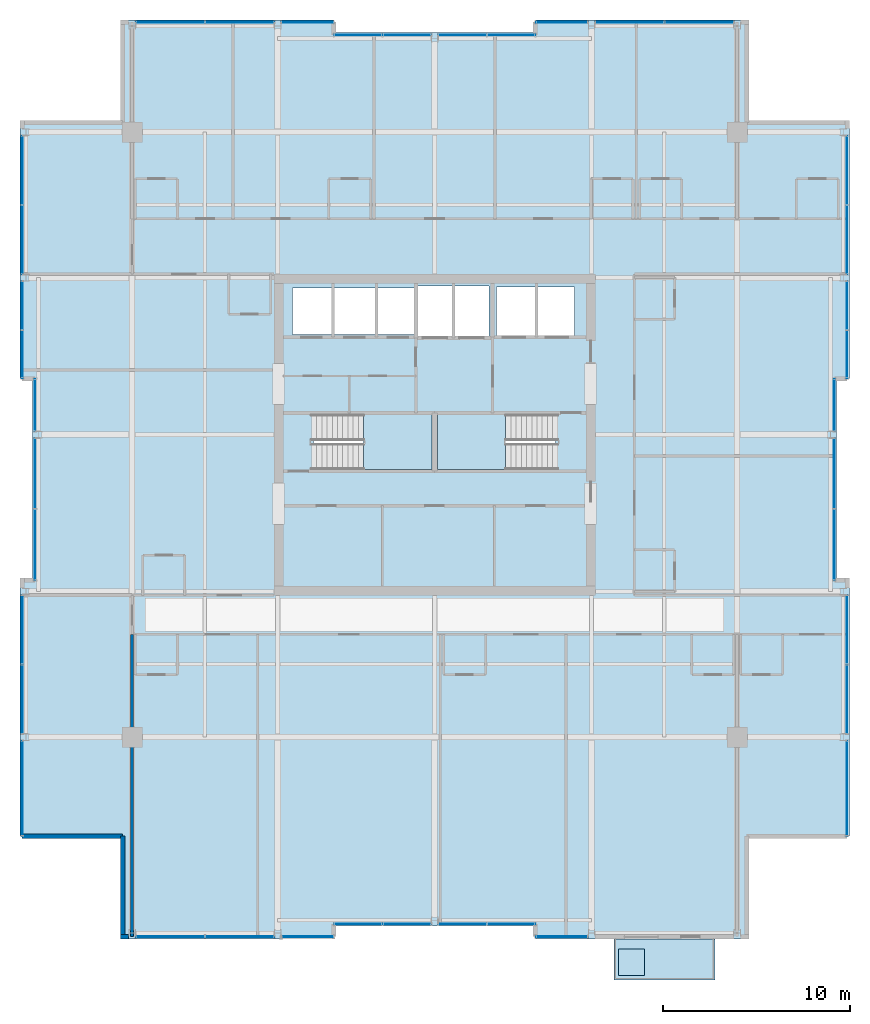
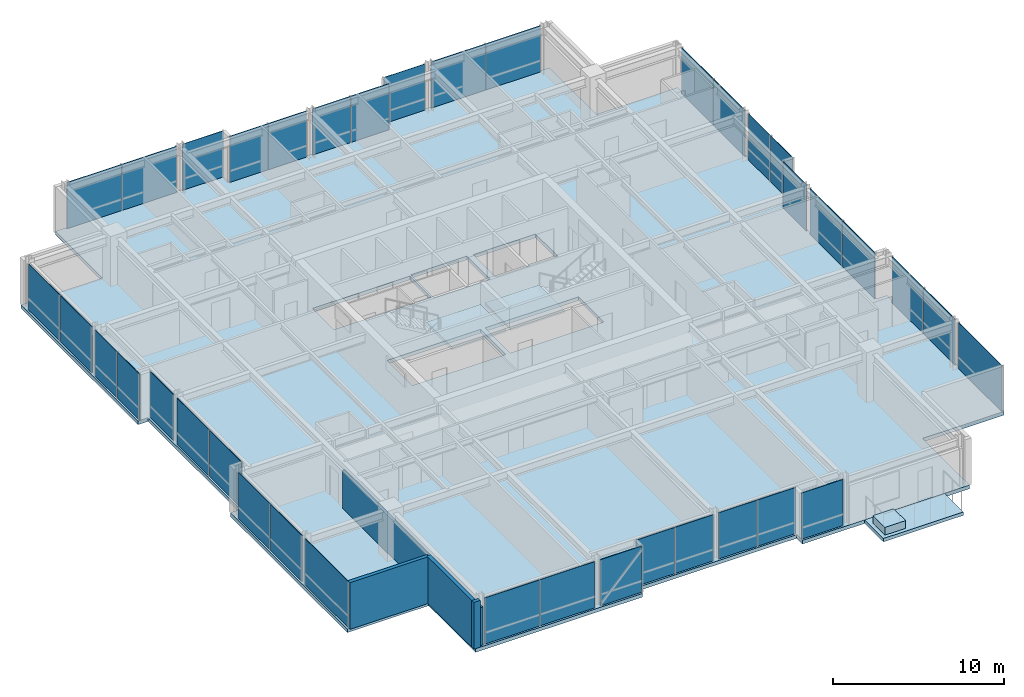
# One storey, part 25 of 32: 38 plates, 5 slabs, 4 walls, 25 elements without a shape of their own.
"""IFC4 building model written with IfcOpenShell, lengths in metres."""

from ifc_helpers import new_model, si_unit, direction, frame, frame_2d, origin, origin_2d, place, context, subcontext, project, spatial, polyline, rectangle, outline, extrude, material, layer, layer_set, type_object, element, aggregate, save


model = new_model("IFC4")

# Units and contexts
model_context = context("Model", 3, precision=1e-05, world=origin(), true_north=direction((0.0, 1.0)))
body_context = subcontext(model_context, "Body", "Model", "MODEL_VIEW")
ifc_project = project(units=[si_unit("LENGTHUNIT", "METRE"), si_unit("AREAUNIT", "SQUARE_METRE"), si_unit("VOLUMEUNIT", "CUBIC_METRE"), si_unit("PLANEANGLEUNIT", "RADIAN"), si_unit("MASSUNIT", "GRAM", prefix="KILO")], contexts=[model_context])

# Site, building, storey
site_placement = place(None, origin())
site = spatial("IfcSite", under=ifc_project, at=site_placement, CompositionType="ELEMENT")
building_placement = place(site_placement, origin())
building = spatial("IfcBuilding", under=site, at=building_placement, Name="Drelvath Grand Hotel", CompositionType="ELEMENT")
storey_placement = place(building_placement, frame((0.0, 0.0, 237.5)))
storey = spatial("IfcBuildingStorey", under=building, at=storey_placement, Name="L62", CompositionType="ELEMENT", Elevation=237.5)

# Slabs
ifc_material_1 = material(Name="Concrete f'c 40 MPa", Category="concrete")
ifc_layer_1 = layer(ifc_material_1, 0.239990234375)
ifc_layer_set_1 = layer_set([ifc_layer_1], Name="Concrete f'c 40 MPa")
slab_type_1 = type_object("IfcSlabType", Name="Cantilevered Tree Balcony Slab 240", PredefinedType="FLOOR", material=ifc_layer_set_1)
slab_1_placement = place(storey_placement, frame((0.0, 0.0, -0.239990234375)))
element("IfcSlab", 1, at=slab_1_placement, inside=storey, type_object=slab_type_1, Name="L62 Cantilevered Tree Balcony Slab 1", PredefinedType="FLOOR", context=body_context, shape_type="SweptSolid", body=[
    extrude(outline(polyline([(9.60009765625, -2.199951171875), (15.0, -2.199951171875), (15.0, 0.0), (9.60009765625, 0.0), (9.60009765625, -2.199951171875)])), origin(), (0.0, 0.0, 1.0), 0.239990234375),
])
ifc_layer_2 = layer(ifc_material_1, 0.260009765625)
ifc_layer_set_2 = layer_set([ifc_layer_2], Name="Concrete f'c 40 MPa")
slab_type_2 = type_object("IfcSlabType", Name="Composite RC Floor Slab 260", PredefinedType="FLOOR", material=ifc_layer_set_2)
slab_2_placement = place(storey_placement, frame((0.0, 0.0, -0.260009765625)))
element("IfcSlab", 2, at=slab_2_placement, inside=storey, type_object=slab_type_2, Name="L62 Structural Floor Slab", PredefinedType="FLOOR", context=body_context, shape_type="SweptSolid", body=[
    extrude(outline(polyline([(-16.699951171875, 0.0), (-5.39990234375, 0.0), (-5.39990234375, 0.679931640625), (5.39990234375, 0.679931640625), (5.39990234375, 0.0), (16.699951171875, 0.0), (16.699951171875, 5.5), (22.199951171875, 5.5), (22.199951171875, 19.199951171875), (21.52001953125, 19.199951171875), (21.52001953125, 30.0), (22.199951171875, 30.0), (22.199951171875, 43.699951171875), (16.699951171875, 43.699951171875), (16.699951171875, 49.199951171875), (5.39990234375, 49.199951171875), (5.39990234375, 48.52001953125), (-5.39990234375, 48.52001953125), (-5.39990234375, 49.199951171875), (-16.699951171875, 49.199951171875), (-16.699951171875, 43.699951171875), (-22.199951171875, 43.699951171875), (-22.199951171875, 30.0), (-21.52001953125, 30.0), (-21.52001953125, 19.199951171875), (-22.199951171875, 19.199951171875), (-22.199951171875, 5.5), (-16.699951171875, 5.5), (-16.699951171875, 0.0)]), holes=[polyline([(-6.47998046875, 25.1201171875), (-6.47998046875, 28.080078125), (-0.14990234375, 28.080078125), (-0.14990234375, 25.1201171875), (-6.47998046875, 25.1201171875)]), polyline([(0.14990234375, 25.1201171875), (0.14990234375, 28.080078125), (6.47998046875, 28.080078125), (6.47998046875, 25.1201171875), (0.14990234375, 25.1201171875)]), polyline([(-7.60009765625, 32.35009765625), (-7.60009765625, 34.85009765625), (-1.02001953125, 34.85009765625), (-1.02001953125, 32.35009765625), (-7.60009765625, 32.35009765625)]), polyline([(-0.89990234375, 32.25), (-0.89990234375, 34.949951171875), (2.89990234375, 34.949951171875), (2.89990234375, 32.25), (-0.89990234375, 32.25)]), polyline([(3.300048828125, 32.300048828125), (3.300048828125, 34.89990234375), (7.5, 34.89990234375), (7.5, 32.300048828125), (3.300048828125, 32.300048828125)])]), origin(), (0.0, 0.0, 1.0), 0.260009765625),
])

# Stair, slab
ifc_material_2 = material(Name="Concrete C40/50", Category="concrete")
stair_type = type_object("IfcStairType", Name="Dogleg Exit Stair W1400-R163.6", PredefinedType="HALF_TURN_STAIR", material=ifc_material_2)
stair_1_placement = place(storey_placement, origin())
stair_1 = element("IfcStair", 3, at=stair_1_placement, inside=storey, type_object=stair_type, Name="L62 Core Exit Stair ST-1", PredefinedType="HALF_TURN_STAIR")
ifc_layer_3 = layer(ifc_material_2, 0.199951171875)
ifc_layer_set_3 = layer_set([ifc_layer_3], Name="Concrete C40/50")
slab_type_3 = type_object("IfcSlabType", Name="Concrete Stair Landing Slab 200", PredefinedType="LANDING", material=ifc_layer_set_3)
slab_3_placement = place(storey_placement, frame((0.0, 0.0, 1.60009765625)))
slab_3 = element("IfcSlab", 4, at=slab_3_placement, type_object=slab_type_3, Name="ST-1 landing 1", PredefinedType="LANDING", context=body_context, shape_type="SweptSolid", body=[
    extrude(outline(polyline([(-3.800048828125, 25.1201171875), (-0.14990234375, 25.1201171875), (-0.14990234375, 28.080078125), (-3.800048828125, 28.080078125), (-3.800048828125, 25.1201171875)])), origin(), (0.0, 0.0, 1.0), 0.199951171875),
])
aggregate(stair_1, [slab_3])

stair_2_placement = place(storey_placement, origin())
stair_2 = element("IfcStair", 5, at=stair_2_placement, inside=storey, type_object=stair_type, Name="L62 Core Exit Stair ST-2", PredefinedType="HALF_TURN_STAIR")
slab_4_placement = place(storey_placement, frame((0.0, 0.0, 1.60009765625)))
slab_4 = element("IfcSlab", 6, at=slab_4_placement, type_object=slab_type_3, Name="ST-2 landing 1", PredefinedType="LANDING", context=body_context, shape_type="SweptSolid", body=[
    extrude(outline(polyline([(3.800048828125, 28.080078125), (0.14990234375, 28.080078125), (0.14990234375, 25.1201171875), (3.800048828125, 25.1201171875), (3.800048828125, 28.080078125)])), origin(), (0.0, 0.0, 1.0), 0.199951171875),
])
aggregate(stair_2, [slab_4])

# Curtain wall, plate
ifc_material_3 = material(Name="Platinum-Mist Anodised Aluminium Frame", Category="aluminium")
ifc_layer_4 = layer(ifc_material_3, 0.199951171875)
ifc_layer_set_4 = layer_set([ifc_layer_4], Name="Platinum-Mist Anodised Aluminium Frame")
curtain_wall_type = type_object("IfcCurtainWallType", Name="Stick Curtain Wall CW-05 Platinum Mist High-Rise", PredefinedType="NOTDEFINED", material=ifc_layer_set_4)
curtain_wall_1_placement = place(storey_placement, origin())
curtain_wall_1 = element("IfcCurtainWall", 7, at=curtain_wall_1_placement, inside=storey, type_object=curtain_wall_type, Name="L62 CW-05 Curtain Wall CW05-L62-WS1", PredefinedType="NOTDEFINED")
ifc_material_4 = material(Name="Low-E Triple Silver High-Altitude Glass", Category="glass")
ifc_layer_5 = layer(ifc_material_4, 0.035888671875)
ifc_layer_set_5 = layer_set([ifc_layer_5], Name="Low-E Triple Silver High-Altitude Glass")
plate_type = type_object("IfcPlateType", Name="Curtain Wall Vision Panel CW-05 36mm", PredefinedType="CURTAIN_PANEL", material=ifc_layer_set_5)
plate_1_placement = place(storey_placement, frame((-22.080078125, 8.060791015625, 0.02001953125), z_axis=(0.0, 0.0, 1.0), x_axis=(0.0, 1.0, 0.0)))
plate_1 = element("IfcPlate", 8, at=plate_1_placement, type_object=plate_type, Name="CW05-L62-WS1 Glazed Panel 1", PredefinedType="CURTAIN_PANEL", context=body_context, shape_type="SweptSolid", body=[
    extrude(rectangle(XDim=5.081787109375, YDim=0.035888671875, at=origin_2d()), origin(), (0.0, 0.0, 1.0), 3.300048828125),
])
aggregate(curtain_wall_1, [plate_1])

# Curtain wall, plates
curtain_wall_2_placement = place(storey_placement, origin())
curtain_wall_2 = element("IfcCurtainWall", 9, at=curtain_wall_2_placement, inside=storey, type_object=curtain_wall_type, Name="L62 CW-05 Curtain Wall CW05-L62-WS2", PredefinedType="NOTDEFINED")
plate_2_placement = place(storey_placement, frame((-22.080078125, 12.839111328125, 0.02001953125), z_axis=(0.0, 0.0, 1.0), x_axis=(0.0, 1.0, 0.0)))
plate_2 = element("IfcPlate", 10, at=plate_2_placement, type_object=plate_type, Name="CW05-L62-WS2 Glazed Panel 1", PredefinedType="CURTAIN_PANEL", context=body_context, shape_type="SweptSolid", body=[
    extrude(rectangle(XDim=3.681884765625, YDim=0.035888671875, at=origin_2d()), origin(), (0.0, 0.0, 1.0), 3.300048828125),
])
plate_3_placement = place(storey_placement, frame((-22.080078125, 16.560791015625, 0.02001953125), z_axis=(0.0, 0.0, 1.0), x_axis=(0.0, 1.0, 0.0)))
plate_3 = element("IfcPlate", 11, at=plate_3_placement, type_object=plate_type, Name="CW05-L62-WS2 Glazed Panel 2", PredefinedType="CURTAIN_PANEL", context=body_context, shape_type="SweptSolid", body=[
    extrude(rectangle(XDim=3.681884765625, YDim=0.035888671875, at=origin_2d()), origin(), (0.0, 0.0, 1.0), 3.300048828125),
])
aggregate(curtain_wall_2, [plate_2, plate_3])

curtain_wall_3_placement = place(storey_placement, origin())
curtain_wall_3 = element("IfcCurtainWall", 12, at=curtain_wall_3_placement, inside=storey, type_object=curtain_wall_type, Name="L62 CW-05 Curtain Wall CW05-L62-WM1", PredefinedType="NOTDEFINED")
plate_4_placement = place(storey_placement, frame((-21.39990234375, 21.10546875, 0.02001953125), z_axis=(0.0, 0.0, 1.0), x_axis=(0.0, 1.0, 0.0)))
plate_4 = element("IfcPlate", 13, at=plate_4_placement, type_object=plate_type, Name="CW05-L62-WM1 Glazed Panel 1", PredefinedType="CURTAIN_PANEL", context=body_context, shape_type="SweptSolid", body=[
    extrude(rectangle(XDim=3.77099609375, YDim=0.035888671875, at=origin_2d()), origin(), (0.0, 0.0, 1.0), 3.300048828125),
])
plate_5_placement = place(storey_placement, frame((-21.39990234375, 24.91650390625, 0.02001953125), z_axis=(0.0, 0.0, 1.0), x_axis=(0.0, 1.0, 0.0)))
plate_5 = element("IfcPlate", 14, at=plate_5_placement, type_object=plate_type, Name="CW05-L62-WM1 Glazed Panel 2", PredefinedType="CURTAIN_PANEL", context=body_context, shape_type="SweptSolid", body=[
    extrude(rectangle(XDim=3.77099609375, YDim=0.035888671875, at=origin_2d()), origin(), (0.0, 0.0, 1.0), 3.300048828125),
])
aggregate(curtain_wall_3, [plate_4, plate_5])

# Curtain wall, plate
curtain_wall_4_placement = place(storey_placement, origin())
curtain_wall_4 = element("IfcCurtainWall", 15, at=curtain_wall_4_placement, inside=storey, type_object=curtain_wall_type, Name="L62 CW-05 Curtain Wall CW05-L62-WM2", PredefinedType="NOTDEFINED")
plate_6_placement = place(storey_placement, frame((-21.39990234375, 28.589111328125, 0.02001953125), z_axis=(0.0, 0.0, 1.0), x_axis=(0.0, 1.0, 0.0)))
plate_6 = element("IfcPlate", 16, at=plate_6_placement, type_object=plate_type, Name="CW05-L62-WM2 Glazed Panel 1", PredefinedType="CURTAIN_PANEL", context=body_context, shape_type="SweptSolid", body=[
    extrude(rectangle(XDim=2.78173828125, YDim=0.035888671875, at=origin_2d()), origin(), (0.0, 0.0, 1.0), 3.300048828125),
])
aggregate(curtain_wall_4, [plate_6])

# Curtain wall, plates
curtain_wall_5_placement = place(storey_placement, origin())
curtain_wall_5 = element("IfcCurtainWall", 17, at=curtain_wall_5_placement, inside=storey, type_object=curtain_wall_type, Name="L62 CW-05 Curtain Wall CW05-L62-WN1", PredefinedType="NOTDEFINED")
plate_7_placement = place(storey_placement, frame((-22.080078125, 31.305419921875, 0.02001953125), z_axis=(0.0, 0.0, 1.0), x_axis=(0.0, 1.0, 0.0)))
plate_7 = element("IfcPlate", 18, at=plate_7_placement, type_object=plate_type, Name="CW05-L62-WN1 Glazed Panel 1", PredefinedType="CURTAIN_PANEL", context=body_context, shape_type="SweptSolid", body=[
    extrude(rectangle(XDim=2.57080078125, YDim=0.035888671875, at=origin_2d()), origin(), (0.0, 0.0, 1.0), 3.300048828125),
])
plate_8_placement = place(storey_placement, frame((-22.080078125, 33.91650390625, 0.02001953125), z_axis=(0.0, 0.0, 1.0), x_axis=(0.0, 1.0, 0.0)))
plate_8 = element("IfcPlate", 19, at=plate_8_placement, type_object=plate_type, Name="CW05-L62-WN1 Glazed Panel 2", PredefinedType="CURTAIN_PANEL", context=body_context, shape_type="SweptSolid", body=[
    extrude(rectangle(XDim=2.57080078125, YDim=0.035888671875, at=origin_2d()), origin(), (0.0, 0.0, 1.0), 3.300048828125),
])
aggregate(curtain_wall_5, [plate_7, plate_8])

curtain_wall_6_placement = place(storey_placement, origin())
curtain_wall_6 = element("IfcCurtainWall", 20, at=curtain_wall_6_placement, inside=storey, type_object=curtain_wall_type, Name="L62 CW-05 Curtain Wall CW05-L62-WN2", PredefinedType="NOTDEFINED")
plate_9_placement = place(storey_placement, frame((-22.080078125, 37.439208984375, 0.02001953125), z_axis=(0.0, 0.0, 1.0), x_axis=(0.0, 1.0, 0.0)))
plate_9 = element("IfcPlate", 21, at=plate_9_placement, type_object=plate_type, Name="CW05-L62-WN2 Glazed Panel 1", PredefinedType="CURTAIN_PANEL", context=body_context, shape_type="SweptSolid", body=[
    extrude(rectangle(XDim=3.681884765625, YDim=0.035888671875, at=origin_2d()), origin(), (0.0, 0.0, 1.0), 3.300048828125),
])
plate_10_placement = place(storey_placement, frame((-22.080078125, 41.160888671875, 0.02001953125), z_axis=(0.0, 0.0, 1.0), x_axis=(0.0, 1.0, 0.0)))
plate_10 = element("IfcPlate", 22, at=plate_10_placement, type_object=plate_type, Name="CW05-L62-WN2 Glazed Panel 2", PredefinedType="CURTAIN_PANEL", context=body_context, shape_type="SweptSolid", body=[
    extrude(rectangle(XDim=3.681884765625, YDim=0.035888671875, at=origin_2d()), origin(), (0.0, 0.0, 1.0), 3.300048828125),
])
aggregate(curtain_wall_6, [plate_9, plate_10])

curtain_wall_7_placement = place(storey_placement, origin())
curtain_wall_7 = element("IfcCurtainWall", 23, at=curtain_wall_7_placement, inside=storey, type_object=curtain_wall_type, Name="L62 CW-05 Curtain Wall CW05-L62-EN1", PredefinedType="NOTDEFINED")
plate_11_placement = place(storey_placement, frame((22.080078125, 33.91650390625, 0.02001953125), z_axis=(0.0, 0.0, 1.0), x_axis=(0.0, -1.0, 0.0)))
plate_11 = element("IfcPlate", 24, at=plate_11_placement, type_object=plate_type, Name="CW05-L62-EN1 Glazed Panel 1", PredefinedType="CURTAIN_PANEL", context=body_context, shape_type="SweptSolid", body=[
    extrude(rectangle(XDim=2.57080078125, YDim=0.035888671875, at=origin_2d()), origin(), (0.0, 0.0, 1.0), 3.300048828125),
])
plate_12_placement = place(storey_placement, frame((22.080078125, 31.305419921875, 0.02001953125), z_axis=(0.0, 0.0, 1.0), x_axis=(0.0, -1.0, 0.0)))
plate_12 = element("IfcPlate", 25, at=plate_12_placement, type_object=plate_type, Name="CW05-L62-EN1 Glazed Panel 2", PredefinedType="CURTAIN_PANEL", context=body_context, shape_type="SweptSolid", body=[
    extrude(rectangle(XDim=2.57080078125, YDim=0.035888671875, at=origin_2d()), origin(), (0.0, 0.0, 1.0), 3.300048828125),
])
aggregate(curtain_wall_7, [plate_11, plate_12])

curtain_wall_8_placement = place(storey_placement, origin())
curtain_wall_8 = element("IfcCurtainWall", 26, at=curtain_wall_8_placement, inside=storey, type_object=curtain_wall_type, Name="L62 CW-05 Curtain Wall CW05-L62-EN2", PredefinedType="NOTDEFINED")
plate_13_placement = place(storey_placement, frame((22.080078125, 41.160888671875, 0.02001953125), z_axis=(0.0, 0.0, 1.0), x_axis=(0.0, -1.0, 0.0)))
plate_13 = element("IfcPlate", 27, at=plate_13_placement, type_object=plate_type, Name="CW05-L62-EN2 Glazed Panel 1", PredefinedType="CURTAIN_PANEL", context=body_context, shape_type="SweptSolid", body=[
    extrude(rectangle(XDim=3.681884765625, YDim=0.035888671875, at=origin_2d()), origin(), (0.0, 0.0, 1.0), 3.300048828125),
])
plate_14_placement = place(storey_placement, frame((22.080078125, 37.439208984375, 0.02001953125), z_axis=(0.0, 0.0, 1.0), x_axis=(0.0, -1.0, 0.0)))
plate_14 = element("IfcPlate", 28, at=plate_14_placement, type_object=plate_type, Name="CW05-L62-EN2 Glazed Panel 2", PredefinedType="CURTAIN_PANEL", context=body_context, shape_type="SweptSolid", body=[
    extrude(rectangle(XDim=3.681884765625, YDim=0.035888671875, at=origin_2d()), origin(), (0.0, 0.0, 1.0), 3.300048828125),
])
aggregate(curtain_wall_8, [plate_13, plate_14])

curtain_wall_9_placement = place(storey_placement, origin())
curtain_wall_9 = element("IfcCurtainWall", 29, at=curtain_wall_9_placement, inside=storey, type_object=curtain_wall_type, Name="L62 CW-05 Curtain Wall CW05-L62-EM1", PredefinedType="NOTDEFINED")
plate_15_placement = place(storey_placement, frame((21.39990234375, 24.91650390625, 0.02001953125), z_axis=(0.0, 0.0, 1.0), x_axis=(0.0, -1.0, 0.0)))
plate_15 = element("IfcPlate", 30, at=plate_15_placement, type_object=plate_type, Name="CW05-L62-EM1 Glazed Panel 1", PredefinedType="CURTAIN_PANEL", context=body_context, shape_type="SweptSolid", body=[
    extrude(rectangle(XDim=3.77099609375, YDim=0.035888671875, at=origin_2d()), origin(), (0.0, 0.0, 1.0), 3.300048828125),
])
plate_16_placement = place(storey_placement, frame((21.39990234375, 21.10546875, 0.02001953125), z_axis=(0.0, 0.0, 1.0), x_axis=(0.0, -1.0, 0.0)))
plate_16 = element("IfcPlate", 31, at=plate_16_placement, type_object=plate_type, Name="CW05-L62-EM1 Glazed Panel 2", PredefinedType="CURTAIN_PANEL", context=body_context, shape_type="SweptSolid", body=[
    extrude(rectangle(XDim=3.77099609375, YDim=0.035888671875, at=origin_2d()), origin(), (0.0, 0.0, 1.0), 3.300048828125),
])
aggregate(curtain_wall_9, [plate_15, plate_16])

# Curtain wall, plate
curtain_wall_10_placement = place(storey_placement, origin())
curtain_wall_10 = element("IfcCurtainWall", 32, at=curtain_wall_10_placement, inside=storey, type_object=curtain_wall_type, Name="L62 CW-05 Curtain Wall CW05-L62-EM2", PredefinedType="NOTDEFINED")
plate_17_placement = place(storey_placement, frame((21.39990234375, 28.589111328125, 0.02001953125), z_axis=(0.0, 0.0, 1.0), x_axis=(0.0, -1.0, 0.0)))
plate_17 = element("IfcPlate", 33, at=plate_17_placement, type_object=plate_type, Name="CW05-L62-EM2 Glazed Panel 1", PredefinedType="CURTAIN_PANEL", context=body_context, shape_type="SweptSolid", body=[
    extrude(rectangle(XDim=2.78173828125, YDim=0.035888671875, at=origin_2d()), origin(), (0.0, 0.0, 1.0), 3.300048828125),
])
aggregate(curtain_wall_10, [plate_17])

curtain_wall_11_placement = place(storey_placement, origin())
curtain_wall_11 = element("IfcCurtainWall", 34, at=curtain_wall_11_placement, inside=storey, type_object=curtain_wall_type, Name="L62 CW-05 Curtain Wall CW05-L62-ES1", PredefinedType="NOTDEFINED")
plate_18_placement = place(storey_placement, frame((22.080078125, 8.060791015625, 0.02001953125), z_axis=(0.0, 0.0, 1.0), x_axis=(0.0, -1.0, 0.0)))
plate_18 = element("IfcPlate", 35, at=plate_18_placement, type_object=plate_type, Name="CW05-L62-ES1 Glazed Panel 1", PredefinedType="CURTAIN_PANEL", context=body_context, shape_type="SweptSolid", body=[
    extrude(rectangle(XDim=5.081787109375, YDim=0.035888671875, at=origin_2d()), origin(), (0.0, 0.0, 1.0), 3.300048828125),
])
aggregate(curtain_wall_11, [plate_18])

# Curtain wall, plates
curtain_wall_12_placement = place(storey_placement, origin())
curtain_wall_12 = element("IfcCurtainWall", 36, at=curtain_wall_12_placement, inside=storey, type_object=curtain_wall_type, Name="L62 CW-05 Curtain Wall CW05-L62-ES2", PredefinedType="NOTDEFINED")
plate_19_placement = place(storey_placement, frame((22.080078125, 16.560791015625, 0.02001953125), z_axis=(0.0, 0.0, 1.0), x_axis=(0.0, -1.0, 0.0)))
plate_19 = element("IfcPlate", 37, at=plate_19_placement, type_object=plate_type, Name="CW05-L62-ES2 Glazed Panel 1", PredefinedType="CURTAIN_PANEL", context=body_context, shape_type="SweptSolid", body=[
    extrude(rectangle(XDim=3.681884765625, YDim=0.035888671875, at=origin_2d()), origin(), (0.0, 0.0, 1.0), 3.300048828125),
])
plate_20_placement = place(storey_placement, frame((22.080078125, 12.839111328125, 0.02001953125), z_axis=(0.0, 0.0, 1.0), x_axis=(0.0, -1.0, 0.0)))
plate_20 = element("IfcPlate", 38, at=plate_20_placement, type_object=plate_type, Name="CW05-L62-ES2 Glazed Panel 2", PredefinedType="CURTAIN_PANEL", context=body_context, shape_type="SweptSolid", body=[
    extrude(rectangle(XDim=3.681884765625, YDim=0.035888671875, at=origin_2d()), origin(), (0.0, 0.0, 1.0), 3.300048828125),
])
aggregate(curtain_wall_12, [plate_19, plate_20])

curtain_wall_13_placement = place(storey_placement, origin())
curtain_wall_13 = element("IfcCurtainWall", 39, at=curtain_wall_13_placement, inside=storey, type_object=curtain_wall_type, Name="L62 CW-05 Curtain Wall CW05-L62-NW2", PredefinedType="NOTDEFINED")
plate_21_placement = place(storey_placement, frame((-14.160888671875, 49.080078125, 0.02001953125), z_axis=(0.0, 0.0, 1.0), x_axis=(1.0, 0.0, 0.0)))
plate_21 = element("IfcPlate", 40, at=plate_21_placement, type_object=plate_type, Name="CW05-L62-NW2 Glazed Panel 1", PredefinedType="CURTAIN_PANEL", context=body_context, shape_type="SweptSolid", body=[
    extrude(rectangle(XDim=3.681884765625, YDim=0.035888671875, at=origin_2d()), origin(), (0.0, 0.0, 1.0), 3.300048828125),
])
plate_22_placement = place(storey_placement, frame((-10.439208984375, 49.080078125, 0.02001953125), z_axis=(0.0, 0.0, 1.0), x_axis=(1.0, 0.0, 0.0)))
plate_22 = element("IfcPlate", 41, at=plate_22_placement, type_object=plate_type, Name="CW05-L62-NW2 Glazed Panel 2", PredefinedType="CURTAIN_PANEL", context=body_context, shape_type="SweptSolid", body=[
    extrude(rectangle(XDim=3.681884765625, YDim=0.035888671875, at=origin_2d()), origin(), (0.0, 0.0, 1.0), 3.300048828125),
])
aggregate(curtain_wall_13, [plate_21, plate_22])

# Curtain wall, plate
curtain_wall_14_placement = place(storey_placement, origin())
curtain_wall_14 = element("IfcCurtainWall", 42, at=curtain_wall_14_placement, inside=storey, type_object=curtain_wall_type, Name="L62 CW-05 Curtain Wall CW05-L62-NW3", PredefinedType="NOTDEFINED")
plate_23_placement = place(storey_placement, frame((-6.810791015625, 49.080078125, 0.02001953125), z_axis=(0.0, 0.0, 1.0), x_axis=(1.0, 0.0, 0.0)))
plate_23 = element("IfcPlate", 43, at=plate_23_placement, type_object=plate_type, Name="CW05-L62-NW3 Glazed Panel 1", PredefinedType="CURTAIN_PANEL", context=body_context, shape_type="SweptSolid", body=[
    extrude(rectangle(XDim=2.78173828125, YDim=0.035888671875, at=origin_2d()), origin(), (0.0, 0.0, 1.0), 3.300048828125),
])
aggregate(curtain_wall_14, [plate_23])

# Curtain wall, plates
curtain_wall_15_placement = place(storey_placement, origin())
curtain_wall_15 = element("IfcCurtainWall", 44, at=curtain_wall_15_placement, inside=storey, type_object=curtain_wall_type, Name="L62 CW-05 Curtain Wall CW05-L62-NM1", PredefinedType="NOTDEFINED")
plate_24_placement = place(storey_placement, frame((-4.094482421875, 48.39990234375, 0.02001953125), z_axis=(0.0, 0.0, 1.0), x_axis=(1.0, 0.0, 0.0)))
plate_24 = element("IfcPlate", 45, at=plate_24_placement, type_object=plate_type, Name="CW05-L62-NM1 Glazed Panel 1", PredefinedType="CURTAIN_PANEL", context=body_context, shape_type="SweptSolid", body=[
    extrude(rectangle(XDim=2.57080078125, YDim=0.035888671875, at=origin_2d()), origin(), (0.0, 0.0, 1.0), 3.300048828125),
])
plate_25_placement = place(storey_placement, frame((-1.483642578125, 48.39990234375, 0.02001953125), z_axis=(0.0, 0.0, 1.0), x_axis=(1.0, 0.0, 0.0)))
plate_25 = element("IfcPlate", 46, at=plate_25_placement, type_object=plate_type, Name="CW05-L62-NM1 Glazed Panel 2", PredefinedType="CURTAIN_PANEL", context=body_context, shape_type="SweptSolid", body=[
    extrude(rectangle(XDim=2.57080078125, YDim=0.035888671875, at=origin_2d()), origin(), (0.0, 0.0, 1.0), 3.300048828125),
])
aggregate(curtain_wall_15, [plate_24, plate_25])

curtain_wall_16_placement = place(storey_placement, origin())
curtain_wall_16 = element("IfcCurtainWall", 47, at=curtain_wall_16_placement, inside=storey, type_object=curtain_wall_type, Name="L62 CW-05 Curtain Wall CW05-L62-NM2", PredefinedType="NOTDEFINED")
plate_26_placement = place(storey_placement, frame((1.483642578125, 48.39990234375, 0.02001953125), z_axis=(0.0, 0.0, 1.0), x_axis=(1.0, 0.0, 0.0)))
plate_26 = element("IfcPlate", 48, at=plate_26_placement, type_object=plate_type, Name="CW05-L62-NM2 Glazed Panel 1", PredefinedType="CURTAIN_PANEL", context=body_context, shape_type="SweptSolid", body=[
    extrude(rectangle(XDim=2.57080078125, YDim=0.035888671875, at=origin_2d()), origin(), (0.0, 0.0, 1.0), 3.300048828125),
])
plate_27_placement = place(storey_placement, frame((4.094482421875, 48.39990234375, 0.02001953125), z_axis=(0.0, 0.0, 1.0), x_axis=(1.0, 0.0, 0.0)))
plate_27 = element("IfcPlate", 49, at=plate_27_placement, type_object=plate_type, Name="CW05-L62-NM2 Glazed Panel 2", PredefinedType="CURTAIN_PANEL", context=body_context, shape_type="SweptSolid", body=[
    extrude(rectangle(XDim=2.57080078125, YDim=0.035888671875, at=origin_2d()), origin(), (0.0, 0.0, 1.0), 3.300048828125),
])
aggregate(curtain_wall_16, [plate_26, plate_27])

# Curtain wall, plate
curtain_wall_17_placement = place(storey_placement, origin())
curtain_wall_17 = element("IfcCurtainWall", 50, at=curtain_wall_17_placement, inside=storey, type_object=curtain_wall_type, Name="L62 CW-05 Curtain Wall CW05-L62-NE1", PredefinedType="NOTDEFINED")
plate_28_placement = place(storey_placement, frame((6.810791015625, 49.080078125, 0.02001953125), z_axis=(0.0, 0.0, 1.0), x_axis=(1.0, 0.0, 0.0)))
plate_28 = element("IfcPlate", 51, at=plate_28_placement, type_object=plate_type, Name="CW05-L62-NE1 Glazed Panel 1", PredefinedType="CURTAIN_PANEL", context=body_context, shape_type="SweptSolid", body=[
    extrude(rectangle(XDim=2.78173828125, YDim=0.035888671875, at=origin_2d()), origin(), (0.0, 0.0, 1.0), 3.300048828125),
])
aggregate(curtain_wall_17, [plate_28])

# Curtain wall, plates
curtain_wall_18_placement = place(storey_placement, origin())
curtain_wall_18 = element("IfcCurtainWall", 52, at=curtain_wall_18_placement, inside=storey, type_object=curtain_wall_type, Name="L62 CW-05 Curtain Wall CW05-L62-NE2", PredefinedType="NOTDEFINED")
plate_29_placement = place(storey_placement, frame((10.439208984375, 49.080078125, 0.02001953125), z_axis=(0.0, 0.0, 1.0), x_axis=(1.0, 0.0, 0.0)))
plate_29 = element("IfcPlate", 53, at=plate_29_placement, type_object=plate_type, Name="CW05-L62-NE2 Glazed Panel 1", PredefinedType="CURTAIN_PANEL", context=body_context, shape_type="SweptSolid", body=[
    extrude(rectangle(XDim=3.681884765625, YDim=0.035888671875, at=origin_2d()), origin(), (0.0, 0.0, 1.0), 3.300048828125),
])
plate_30_placement = place(storey_placement, frame((14.160888671875, 49.080078125, 0.02001953125), z_axis=(0.0, 0.0, 1.0), x_axis=(1.0, 0.0, 0.0)))
plate_30 = element("IfcPlate", 54, at=plate_30_placement, type_object=plate_type, Name="CW05-L62-NE2 Glazed Panel 2", PredefinedType="CURTAIN_PANEL", context=body_context, shape_type="SweptSolid", body=[
    extrude(rectangle(XDim=3.681884765625, YDim=0.035888671875, at=origin_2d()), origin(), (0.0, 0.0, 1.0), 3.300048828125),
])
aggregate(curtain_wall_18, [plate_29, plate_30])

# Curtain wall, plate
curtain_wall_19_placement = place(storey_placement, origin())
curtain_wall_19 = element("IfcCurtainWall", 55, at=curtain_wall_19_placement, inside=storey, type_object=curtain_wall_type, Name="L62 CW-05 Curtain Wall CW05-L62-SE1", PredefinedType="NOTDEFINED")
plate_31_placement = place(storey_placement, frame((6.810791015625, 0.1201171875, 0.02001953125), z_axis=(0.0, 0.0, 1.0), x_axis=(-1.0, 0.0, 0.0)))
plate_31 = element("IfcPlate", 56, at=plate_31_placement, type_object=plate_type, Name="CW05-L62-SE1 Glazed Panel 1", PredefinedType="CURTAIN_PANEL", context=body_context, shape_type="SweptSolid", body=[
    extrude(rectangle(XDim=2.78173828125, YDim=0.035888671875, at=origin_2d()), origin(), (0.0, 0.0, 1.0), 3.300048828125),
])
aggregate(curtain_wall_19, [plate_31])

# Curtain wall, plates
curtain_wall_20_placement = place(storey_placement, origin())
curtain_wall_20 = element("IfcCurtainWall", 57, at=curtain_wall_20_placement, inside=storey, type_object=curtain_wall_type, Name="L62 CW-05 Curtain Wall CW05-L62-SM1", PredefinedType="NOTDEFINED")
plate_32_placement = place(storey_placement, frame((-1.483642578125, 0.800048828125, 0.02001953125), z_axis=(0.0, 0.0, 1.0), x_axis=(-1.0, 0.0, 0.0)))
plate_32 = element("IfcPlate", 58, at=plate_32_placement, type_object=plate_type, Name="CW05-L62-SM1 Glazed Panel 1", PredefinedType="CURTAIN_PANEL", context=body_context, shape_type="SweptSolid", body=[
    extrude(rectangle(XDim=2.57080078125, YDim=0.035888671875, at=origin_2d()), origin(), (0.0, 0.0, 1.0), 3.300048828125),
])
plate_33_placement = place(storey_placement, frame((-4.094482421875, 0.800048828125, 0.02001953125), z_axis=(0.0, 0.0, 1.0), x_axis=(-1.0, 0.0, 0.0)))
plate_33 = element("IfcPlate", 59, at=plate_33_placement, type_object=plate_type, Name="CW05-L62-SM1 Glazed Panel 2", PredefinedType="CURTAIN_PANEL", context=body_context, shape_type="SweptSolid", body=[
    extrude(rectangle(XDim=2.57080078125, YDim=0.035888671875, at=origin_2d()), origin(), (0.0, 0.0, 1.0), 3.300048828125),
])
aggregate(curtain_wall_20, [plate_32, plate_33])

curtain_wall_21_placement = place(storey_placement, origin())
curtain_wall_21 = element("IfcCurtainWall", 60, at=curtain_wall_21_placement, inside=storey, type_object=curtain_wall_type, Name="L62 CW-05 Curtain Wall CW05-L62-SM2", PredefinedType="NOTDEFINED")
plate_34_placement = place(storey_placement, frame((4.094482421875, 0.800048828125, 0.02001953125), z_axis=(0.0, 0.0, 1.0), x_axis=(-1.0, 0.0, 0.0)))
plate_34 = element("IfcPlate", 61, at=plate_34_placement, type_object=plate_type, Name="CW05-L62-SM2 Glazed Panel 1", PredefinedType="CURTAIN_PANEL", context=body_context, shape_type="SweptSolid", body=[
    extrude(rectangle(XDim=2.57080078125, YDim=0.035888671875, at=origin_2d()), origin(), (0.0, 0.0, 1.0), 3.300048828125),
])
plate_35_placement = place(storey_placement, frame((1.483642578125, 0.800048828125, 0.02001953125), z_axis=(0.0, 0.0, 1.0), x_axis=(-1.0, 0.0, 0.0)))
plate_35 = element("IfcPlate", 62, at=plate_35_placement, type_object=plate_type, Name="CW05-L62-SM2 Glazed Panel 2", PredefinedType="CURTAIN_PANEL", context=body_context, shape_type="SweptSolid", body=[
    extrude(rectangle(XDim=2.57080078125, YDim=0.035888671875, at=origin_2d()), origin(), (0.0, 0.0, 1.0), 3.300048828125),
])
aggregate(curtain_wall_21, [plate_34, plate_35])

curtain_wall_22_placement = place(storey_placement, origin())
curtain_wall_22 = element("IfcCurtainWall", 63, at=curtain_wall_22_placement, inside=storey, type_object=curtain_wall_type, Name="L62 CW-05 Curtain Wall CW05-L62-SW2", PredefinedType="NOTDEFINED")
plate_36_placement = place(storey_placement, frame((-10.439208984375, 0.1201171875, 0.02001953125), z_axis=(0.0, 0.0, 1.0), x_axis=(-1.0, 0.0, 0.0)))
plate_36 = element("IfcPlate", 64, at=plate_36_placement, type_object=plate_type, Name="CW05-L62-SW2 Glazed Panel 1", PredefinedType="CURTAIN_PANEL", context=body_context, shape_type="SweptSolid", body=[
    extrude(rectangle(XDim=3.681884765625, YDim=0.035888671875, at=origin_2d()), origin(), (0.0, 0.0, 1.0), 3.300048828125),
])
plate_37_placement = place(storey_placement, frame((-14.160888671875, 0.1201171875, 0.02001953125), z_axis=(0.0, 0.0, 1.0), x_axis=(-1.0, 0.0, 0.0)))
plate_37 = element("IfcPlate", 65, at=plate_37_placement, type_object=plate_type, Name="CW05-L62-SW2 Glazed Panel 2", PredefinedType="CURTAIN_PANEL", context=body_context, shape_type="SweptSolid", body=[
    extrude(rectangle(XDim=3.681884765625, YDim=0.035888671875, at=origin_2d()), origin(), (0.0, 0.0, 1.0), 3.300048828125),
])
aggregate(curtain_wall_22, [plate_36, plate_37])

# Curtain wall, plate
curtain_wall_23_placement = place(storey_placement, origin())
curtain_wall_23 = element("IfcCurtainWall", 66, at=curtain_wall_23_placement, inside=storey, type_object=curtain_wall_type, Name="L62 CW-05 Curtain Wall CW05-L62-SW3", PredefinedType="NOTDEFINED")
plate_38_placement = place(storey_placement, frame((-6.810791015625, 0.1201171875, 0.02001953125), z_axis=(0.0, 0.0, 1.0), x_axis=(-1.0, 0.0, 0.0)))
plate_38 = element("IfcPlate", 67, at=plate_38_placement, type_object=plate_type, Name="CW05-L62-SW3 Glazed Panel 1", PredefinedType="CURTAIN_PANEL", context=body_context, shape_type="SweptSolid", body=[
    extrude(rectangle(XDim=2.78173828125, YDim=0.035888671875, at=origin_2d()), origin(), (0.0, 0.0, 1.0), 3.300048828125),
])
aggregate(curtain_wall_23, [plate_38])

# Slab
ifc_layer_6 = layer(ifc_material_1, 0.550048828125)
ifc_layer_set_6 = layer_set([ifc_layer_6], Name="Concrete f'c 40 MPa")
slab_type_4 = type_object("IfcSlabType", Name="Structural Tree Planter Box 550", PredefinedType="USERDEFINED", material=ifc_layer_set_6)
slab_5_placement = place(storey_placement, origin())
element("IfcSlab", 68, at=slab_5_placement, inside=storey, type_object=slab_type_4, Name="L62 Tree Balcony Structural Planter 1", ObjectType="PLANTER", PredefinedType="USERDEFINED", context=body_context, shape_type="SweptSolid", body=[
    extrude(outline(polyline([(9.85009765625, -1.949951171875), (11.25, -1.949951171875), (11.25, -0.550048828125), (9.85009765625, -0.550048828125), (9.85009765625, -1.949951171875)])), origin(), (0.0, 0.0, 1.0), 0.550048828125),
])

# Walls
ifc_material_5 = material(Name="Gypsum Acoustic Partition")
ifc_layer_7 = layer(ifc_material_5, 0.1650390625)
ifc_layer_set_7 = layer_set([ifc_layer_7], Name="Gypsum Acoustic Partition")
wall_type_1 = type_object("IfcWallType", Name="Suite Demising Wall 165", PredefinedType="PARTITIONING", material=ifc_layer_set_7)
wall_1_placement = place(storey_placement, frame((-16.199951171875, 0.1201171875, 0.0), z_axis=(0.0, 0.0, 1.0), x_axis=(0.0, 1.0, 0.0)))
element("IfcWall", 69, at=wall_1_placement, inside=storey, type_object=wall_type_1, Name="L62 SW Suite Wall", PredefinedType="PARTITIONING", context=body_context, shape_type="SweptSolid", body=[
    extrude(rectangle(XDim=16.179931640625, YDim=0.1650390625, at=frame_2d((8.08984375, 0.0))), origin(), (0.0, 0.0, 1.0), 2.7138671875),
])
ifc_material_6 = material(Name="Pale-Metal Insulated Aluminium Spandrel Assembly", Category="aluminium")
ifc_layer_8 = layer(ifc_material_6, 0.239990234375)
ifc_layer_set_8 = layer_set([ifc_layer_8], Name="Pale-Metal Insulated Aluminium Spandrel Assembly")
wall_type_2 = type_object("IfcWallType", Name="Tower Insulated Metal Spandrel Closure Wall 240", PredefinedType="STANDARD", material=ifc_layer_set_8)
wall_2_placement = place(storey_placement, frame((-16.378173828125, 0.1201171875, 0.0), z_axis=(0.0, 0.0, 1.0), x_axis=(-1.0, 0.0, 0.0)))
element("IfcWall", 70, at=wall_2_placement, inside=storey, type_object=wall_type_2, Name="L62 Corner Pier Spandrel Wall SW1", PredefinedType="STANDARD", context=body_context, shape_type="SweptSolid", body=[
    extrude(rectangle(XDim=0.44189453125, YDim=0.239990234375, at=frame_2d((0.220947265625, 0.0))), origin(), (0.0, 0.0, 1.0), 3.340087890625),
])
wall_3_placement = place(storey_placement, frame((-16.699951171875, 0.239990234375, 0.0), z_axis=(0.0, 0.0, 1.0), x_axis=(0.0, 1.0, 0.0)))
element("IfcWall", 71, at=wall_3_placement, inside=storey, type_object=wall_type_2, Name="L62 Notched Corner Return Spandrel Wall CSW1", PredefinedType="STANDARD", context=body_context, shape_type="SweptSolid", body=[
    extrude(rectangle(XDim=5.260009765625, YDim=0.239990234375, at=frame_2d((2.6298828125, 0.0))), origin(), (0.0, 0.0, 1.0), 3.340087890625),
])
wall_4_placement = place(storey_placement, frame((-16.699951171875, 5.5, 0.0), z_axis=(0.0, 0.0, 1.0), x_axis=(-1.0, 0.0, 0.0)))
element("IfcWall", 72, at=wall_4_placement, inside=storey, type_object=wall_type_2, Name="L62 Notched Corner Return Spandrel Wall CSW2", PredefinedType="STANDARD", context=body_context, shape_type="SweptSolid", body=[
    extrude(rectangle(XDim=5.380126953125, YDim=0.239990234375, at=frame_2d((2.68994140625, 0.0))), origin(), (0.0, 0.0, 1.0), 3.340087890625),
])

save(model, "model.ifc")
